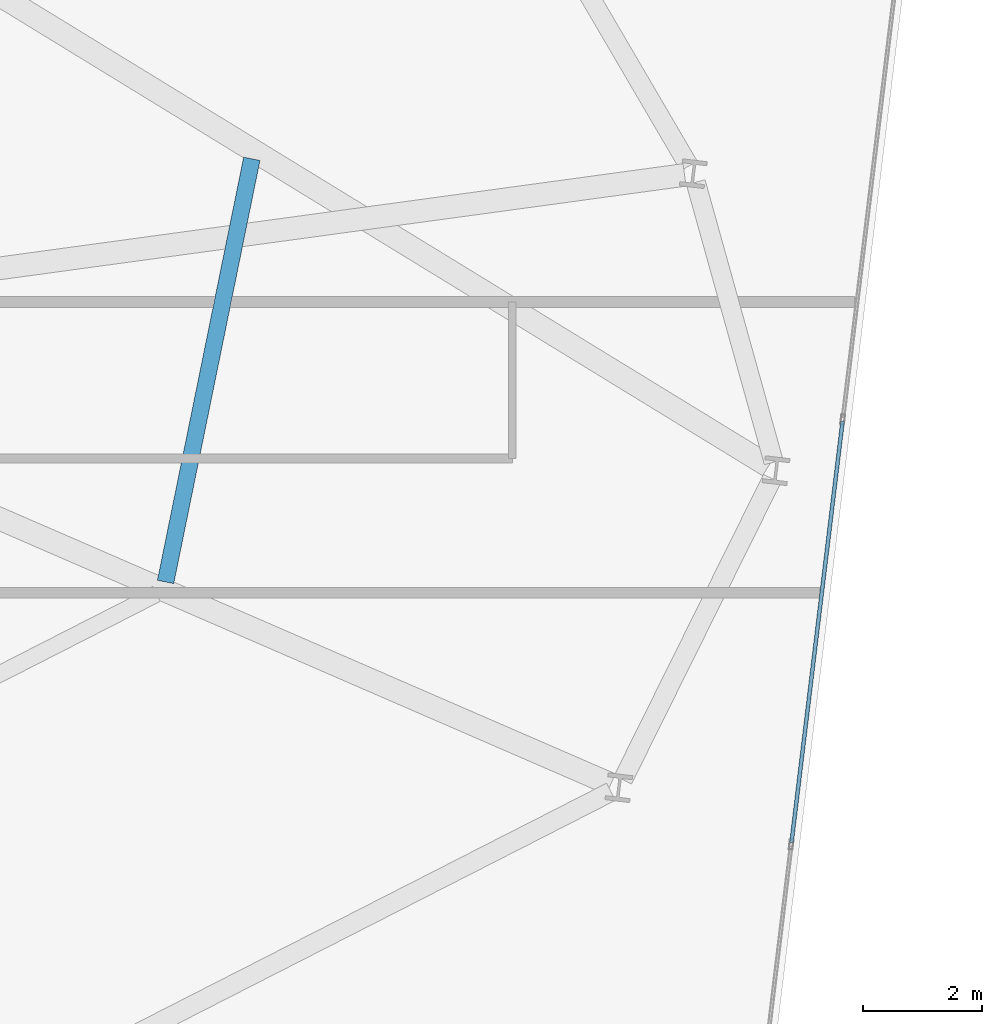
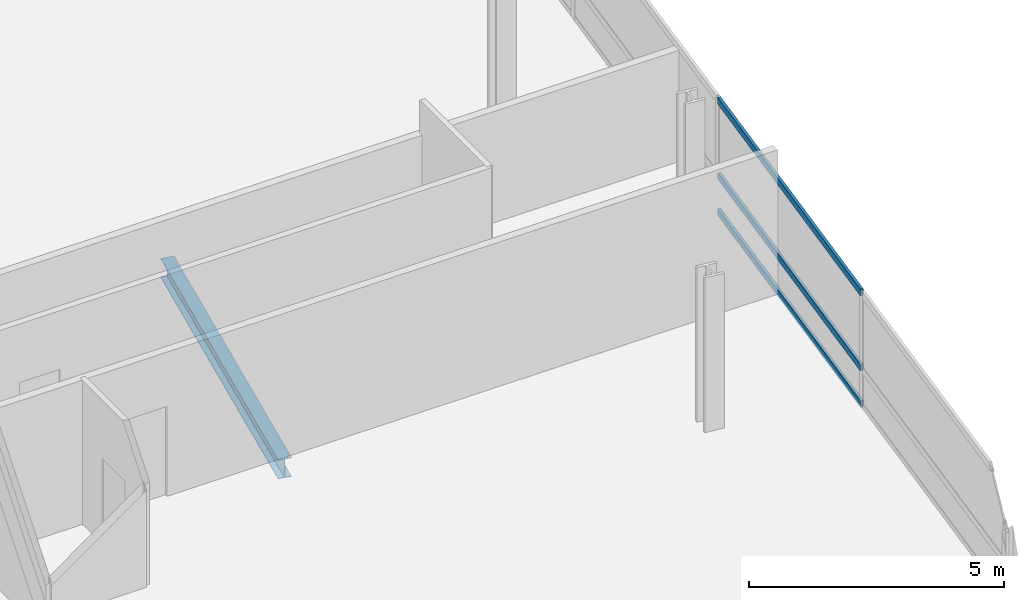
# One storey, part 15 of 26: 3 members, 1 beam, 1 element without a shape of its own.
"""IFC4 building model written with IfcOpenShell, lengths in metres."""

from ifc_helpers import new_model, si_unit, direction, frame, origin, origin_2d, place, context, subcontext, project, spatial, hollow_rectangle, i_section, extrude, material, layer, layer_set, material_profile, profile_set, type_object, element, aggregate, save


model = new_model("IFC4")

# Units and contexts
model_context = context("Model", 3, precision=1e-05, world=origin(), true_north=direction((0.0, 1.0)))
body_context = subcontext(model_context, "Body", "Model", "MODEL_VIEW")
ifc_project = project(units=[si_unit("LENGTHUNIT", "METRE"), si_unit("AREAUNIT", "SQUARE_METRE"), si_unit("VOLUMEUNIT", "CUBIC_METRE"), si_unit("PLANEANGLEUNIT", "RADIAN"), si_unit("MASSUNIT", "GRAM", prefix="KILO")], contexts=[model_context])

# Site, building, storey
site_placement = place(None, origin())
site = spatial("IfcSite", under=ifc_project, at=site_placement, CompositionType="ELEMENT")
building_placement = place(site_placement, origin())
building = spatial("IfcBuilding", under=site, at=building_placement, Name="Varnelok Gate Tower", CompositionType="ELEMENT")
storey_placement = place(building_placement, frame((0.0, 0.0, 155.0)))
storey = spatial("IfcBuildingStorey", under=building, at=storey_placement, Name="L39", CompositionType="ELEMENT", Elevation=155.0)

# Beam
ifc_material_1 = material(Name="Structural Steel ASTM A992 Grade 50", Category="steel")
ifc_material_profile_1 = material_profile(ifc_material_1, i_section(OverallWidth=0.280029296875, OverallDepth=0.462890625, WebThickness=0.0107421875, FlangeThickness=0.017333984375, FilletRadius=0.014892578125, at=origin_2d()), Name="W18X76")
ifc_profile_set_1 = profile_set([ifc_material_profile_1], Name="Structural Steel ASTM A992 Grade 50")
beam_type = type_object("IfcBeamType", Name="BM-JST-W18X76", PredefinedType="JOIST", material=ifc_profile_set_1)
beam_placement = place(storey_placement, frame((64.169921875, 14.533447265625, -0.4814453125), z_axis=(0.19972881556, 0.979851213315, 0.0), x_axis=(-0.979851213315, 0.19972881556, 0.0)))
element("IfcBeam", 1, at=beam_placement, inside=storey, type_object=beam_type, Name="L39 Sector Floor Joist 6", PredefinedType="JOIST", context=body_context, shape_type="SweptSolid", body=[
    extrude(i_section(OverallWidth=0.280029296875, OverallDepth=0.462890625, WebThickness=0.0107421875, FlangeThickness=0.017333984375, FilletRadius=0.014892578125, at=origin_2d()), origin(), (0.0, 0.0, 1.0), 7.261962890625),
])

# Curtain wall, members
ifc_material_2 = material(Name="Anodized Aluminum Alloy 6063-T6", Category="aluminium")
ifc_layer = layer(ifc_material_2, 0.179931640625)
ifc_layer_set = layer_set([ifc_layer], Name="Anodized Aluminum Alloy 6063-T6")
curtain_wall_type = type_object("IfcCurtainWallType", Name="CW3-HOTEL-VISION", PredefinedType="USERDEFINED", material=ifc_layer_set)
curtain_wall_placement = place(storey_placement, origin())
curtain_wall = element("IfcCurtainWall", 2, at=curtain_wall_placement, inside=storey, type_object=curtain_wall_type, Name="L39 East End Vision Curtain Wall", ObjectType="UNITISED CURTAIN WALL", PredefinedType="USERDEFINED")
ifc_material_profile_2 = material_profile(ifc_material_2, hollow_rectangle(XDim=0.06494140625, YDim=0.159912109375, WallThickness=0.00390625, at=origin_2d()), Name="ALU160X65X4")
ifc_profile_set_2 = profile_set([ifc_material_profile_2], Name="Anodized Aluminum Alloy 6063-T6")
member_type = type_object("IfcMemberType", Name="CW-TRAN-160", PredefinedType="USERDEFINED", material=ifc_profile_set_2)
member_1_placement = place(storey_placement, frame((75.553466796875, 17.23388671875, 0.032470703125), z_axis=(-0.120340564253, -0.992732667235, 0.0), x_axis=(0.992732667235, -0.120340564253, 0.0)))
member_1 = element("IfcMember", 3, at=member_1_placement, type_object=member_type, Name="CW3 transom 4.1", ObjectType="TRANSOM", PredefinedType="USERDEFINED", context=body_context, shape_type="SweptSolid", body=[
    extrude(hollow_rectangle(XDim=0.06494140625, YDim=0.159912109375, WallThickness=0.00390625, at=origin_2d()), origin(), (0.0, 0.0, 1.0), 7.135009765625),
])
member_2_placement = place(storey_placement, frame((75.553466796875, 17.23388671875, 0.89990234375), z_axis=(-0.120340564253, -0.992732667235, 0.0), x_axis=(0.992732667235, -0.120340564253, 0.0)))
member_2 = element("IfcMember", 4, at=member_2_placement, type_object=member_type, Name="CW3 transom 4.2", ObjectType="TRANSOM", PredefinedType="USERDEFINED", context=body_context, shape_type="SweptSolid", body=[
    extrude(hollow_rectangle(XDim=0.06494140625, YDim=0.159912109375, WallThickness=0.00390625, at=origin_2d()), origin(), (0.0, 0.0, 1.0), 7.135009765625),
])
member_3_placement = place(storey_placement, frame((75.553466796875, 17.23388671875, 2.697509765625), z_axis=(-0.120340564253, -0.992732667235, 0.0), x_axis=(0.992732667235, -0.120340564253, 0.0)))
member_3 = element("IfcMember", 5, at=member_3_placement, type_object=member_type, Name="CW3 transom 4.3", ObjectType="TRANSOM", PredefinedType="USERDEFINED", context=body_context, shape_type="SweptSolid", body=[
    extrude(hollow_rectangle(XDim=0.06494140625, YDim=0.159912109375, WallThickness=0.00390625, at=origin_2d()), origin(), (0.0, 0.0, 1.0), 7.135009765625),
])
aggregate(curtain_wall, [member_1, member_2, member_3])

save(model, "model.ifc")
